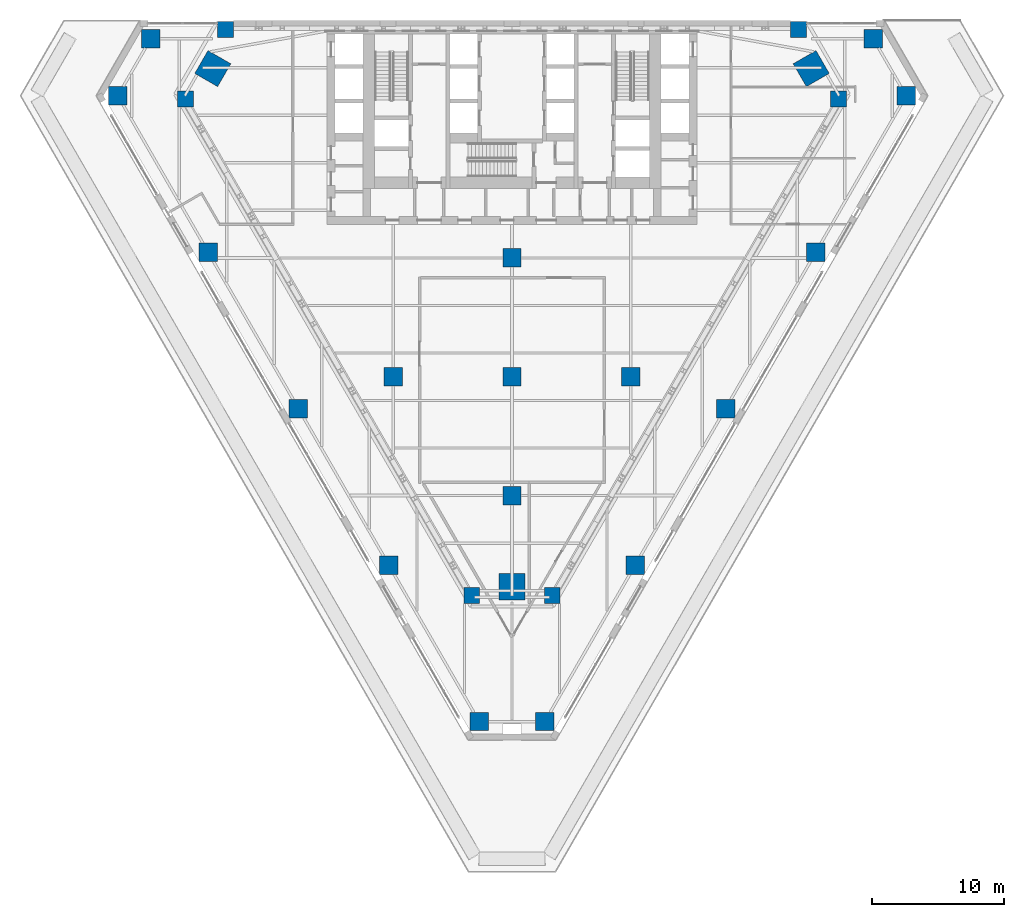
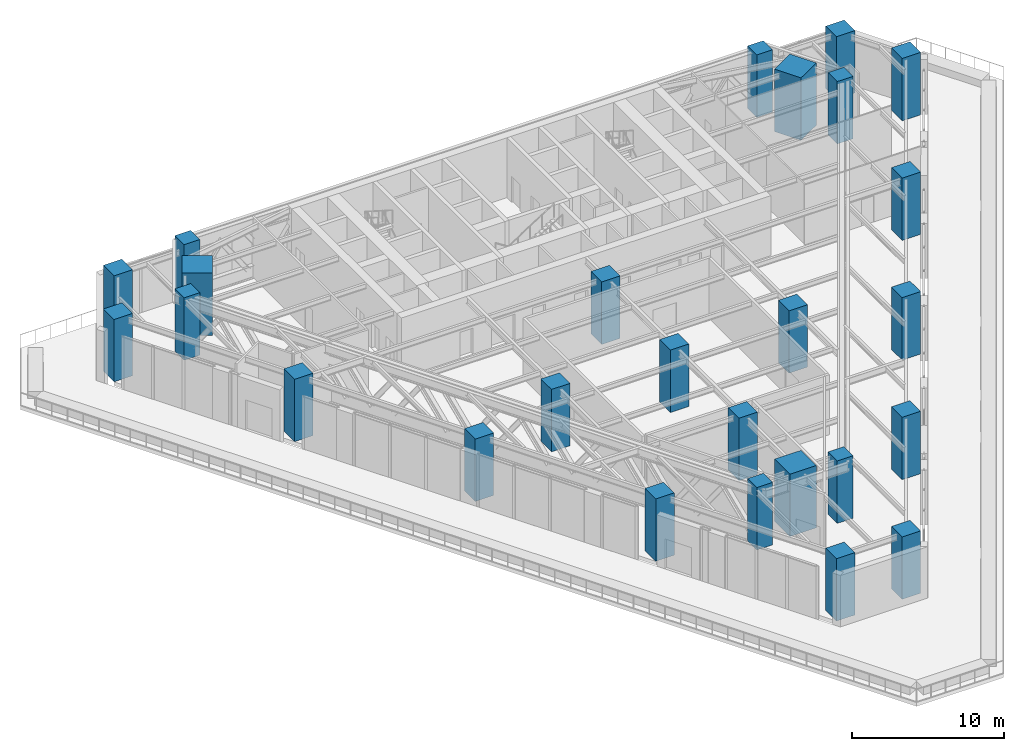
# One storey, part 1 of 25: 26 columns.
"""IFC4 building model written with IfcOpenShell, lengths in metres."""

from ifc_helpers import new_model, si_unit, direction, frame, origin, origin_2d, place, context, subcontext, project, spatial, rectangle, extrude, material, material_profile, profile_set, type_object, element, save


model = new_model("IFC4")

# Units and contexts
model_context = context("Model", 3, precision=1e-05, world=origin(), true_north=direction((0.0, 1.0)))
body_context = subcontext(model_context, "Body", "Model", "MODEL_VIEW")
ifc_project = project(units=[si_unit("LENGTHUNIT", "METRE"), si_unit("AREAUNIT", "SQUARE_METRE"), si_unit("VOLUMEUNIT", "CUBIC_METRE"), si_unit("PLANEANGLEUNIT", "RADIAN"), si_unit("MASSUNIT", "GRAM", prefix="KILO")], contexts=[model_context])

# Site, building, storey
site_placement = place(None, origin())
site = spatial("IfcSite", under=ifc_project, at=site_placement, CompositionType="ELEMENT")
building_placement = place(site_placement, origin())
building = spatial("IfcBuilding", under=site, at=building_placement, Name="Aloe Facet Convention Tower", CompositionType="ELEMENT")
storey_placement = place(building_placement, frame((0.0, 0.0, 30.0)))
storey = spatial("IfcBuildingStorey", under=building, at=storey_placement, Name="L05", CompositionType="ELEMENT", Elevation=30.0)

# Columns
ifc_material_1 = material(Name="Concrete C60/75", Category="concrete")
ifc_material_profile_1 = material_profile(ifc_material_1, rectangle(XDim=1.39990234375, YDim=1.39990234375, at=origin_2d()), Name="SF-PC-1400")
ifc_profile_set_1 = profile_set([ifc_material_profile_1], Name="Concrete C60/75")
column_type_1 = type_object("IfcColumnType", Name="SF-PC-1400", PredefinedType="COLUMN", material=ifc_profile_set_1)
for number, where, z_axis, x_axis, name in (
    (1, (89.0, 108.0, 0.0), (0.0, 0.0, 1.0), (1.0, 0.0, 0.0), "Podium column PC-10D"),
    (2, (71.0, 108.0, 0.0), (0.0, 0.0, 1.0), (1.0, 0.0, 0.0), "Podium column PC-8D"),
    (3, (80.0, 117.0, 0.0), (0.0, 0.0, 1.0), (1.0, 0.0, 0.0), "Podium column PC-9C"),
    (4, (80.0, 108.0, 0.0), (0.0, 0.0, 1.0), (1.0, 0.0, 0.0), "Podium column PC-9D"),
    (5, (80.0, 99.0, 0.0), (0.0, 0.0, 1.0), (1.0, 0.0, 0.0), "Podium column PC-9E"),
    (6, (103.01611328125, 117.43505859375, 0.0), (0.0, 0.0, 1.0), (1.0, 0.0, 0.0), "Podium column PE-103-117"),
    (7, (107.364990234375, 133.60009765625, 0.0), (0.0, 0.0, 1.0), (1.0, 0.0, 0.0), "Podium column PE-107-134"),
    (8, (109.85693359375, 129.283935546875, 0.0), (0.0, 0.0, 1.0), (1.0, 0.0, 0.0), "Podium column PE-110-129"),
    (9, (50.14306640625, 129.283935546875, 0.0), (0.0, 0.0, 1.0), (1.0, 0.0, 0.0), "Podium column PE-50-129"),
    (10, (52.635009765625, 133.60009765625, 0.0), (0.0, 0.0, 1.0), (1.0, 0.0, 0.0), "Podium column PE-53-134"),
    (11, (56.98388671875, 117.43505859375, 0.0), (0.0, 0.0, 1.0), (1.0, 0.0, 0.0), "Podium column PE-57-117"),
    (12, (63.825927734375, 105.5849609375, 0.0), (0.0, 0.0, 1.0), (1.0, 0.0, 0.0), "Podium column PE-64-106"),
    (13, (70.6669921875, 93.736083984375, 0.0), (0.0, 0.0, 1.0), (1.0, 0.0, 0.0), "Podium column PE-71-94"),
    (14, (77.508056640625, 81.885986328125, 0.0), (0.0, 0.0, 1.0), (1.0, 0.0, 0.0), "Podium column PE-78-82"),
    (15, (82.491943359375, 81.885986328125, 0.0), (0.0, 0.0, 1.0), (1.0, 0.0, 0.0), "Podium column PE-82-82"),
    (16, (89.3330078125, 93.736083984375, 0.0), (0.0, 0.0, 1.0), (1.0, 0.0, 0.0), "Podium column PE-89-94"),
    (17, (96.174072265625, 105.5849609375, 0.0), (0.0, 0.0, 1.0), (1.0, 0.0, 0.0), "Podium column PE-96-106"),
):
    element("IfcColumn", number, at=place(storey_placement, frame(where, z_axis=z_axis, x_axis=x_axis)), inside=storey, type_object=column_type_1, Name=name, PredefinedType="COLUMN", context=body_context, shape_type="SweptSolid", body=[
        extrude(rectangle(XDim=1.39990234375, YDim=1.39990234375, at=origin_2d()), origin(), (0.0, 0.0, 1.0), 5.0),
    ])
ifc_material_2 = material(Name="Concrete C60/75", Category="concrete")
ifc_material_profile_2 = material_profile(ifc_material_2, rectangle(XDim=1.199951171875, YDim=1.199951171875, at=origin_2d()), Name="SF-PR-1200")
ifc_profile_set_2 = profile_set([ifc_material_profile_2], Name="Concrete C60/75")
column_type_2 = type_object("IfcColumnType", Name="SF-PR-1200", PredefinedType="COLUMN", material=ifc_profile_set_2)
for number, where, z_axis, x_axis, name in (
    (18, (55.256103515625, 129.028076171875, 0.0), (0.0, 0.0, 1.0), (1.0, 0.0, 0.0), "Podium column PR-01-55-129"),
    (19, (58.300048828125, 134.300048828125, 0.0), (0.0, 0.0, 1.0), (1.0, 0.0, 0.0), "Podium column PR-02-58-134"),
    (20, (76.956298828125, 91.4423828125, 0.0), (0.0, 0.0, 1.0), (1.0, 0.0, 0.0), "Podium column PR-03-77-91"),
    (21, (83.043701171875, 91.4423828125, 0.0), (0.0, 0.0, 1.0), (1.0, 0.0, 0.0), "Podium column PR-04-83-91"),
    (22, (101.699951171875, 134.300048828125, 0.0), (0.0, 0.0, 1.0), (1.0, 0.0, 0.0), "Podium column PR-05-102-134"),
    (23, (104.743896484375, 129.028076171875, 0.0), (0.0, 0.0, 1.0), (1.0, 0.0, 0.0), "Podium column PR-06-105-129"),
):
    element("IfcColumn", number, at=place(storey_placement, frame(where, z_axis=z_axis, x_axis=x_axis)), inside=storey, type_object=column_type_2, Name=name, PredefinedType="COLUMN", context=body_context, shape_type="SweptSolid", body=[
        extrude(rectangle(XDim=1.199951171875, YDim=1.199951171875, at=origin_2d()), origin(), (0.0, 0.0, 1.0), 5.0),
    ])
ifc_material_3 = material(Name="Concrete C80/95", Category="concrete")
ifc_material_profile_3 = material_profile(ifc_material_3, rectangle(XDim=2.0, YDim=2.0, at=origin_2d()), Name="STW-MC-Z1")
ifc_profile_set_3 = profile_set([ifc_material_profile_3], Name="Concrete C80/95")
column_type_3 = type_object("IfcColumnType", Name="STW-MC-Z1", PredefinedType="COLUMN", material=ifc_profile_set_3)
for number, where, z_axis, x_axis, name in (
    (24, (102.664306640625, 131.342041015625, 0.0), (0.0, 0.0, 1.0), (-0.5, 0.866025403784, 0.0), "Mega-column MC-NE-L05"),
    (25, (57.335693359375, 131.342041015625, 0.0), (0.0, 0.0, 1.0), (-0.5, -0.866025403784, 0.0), "Mega-column MC-NW-L05"),
    (26, (80.0, 92.086181640625, 0.0), (0.0, 0.0, 1.0), (1.0, 0.0, 0.0), "Mega-column MC-S-L05"),
):
    element("IfcColumn", number, at=place(storey_placement, frame(where, z_axis=z_axis, x_axis=x_axis)), inside=storey, type_object=column_type_3, Name=name, PredefinedType="COLUMN", context=body_context, shape_type="SweptSolid", body=[
        extrude(rectangle(XDim=2.0, YDim=2.0, at=origin_2d()), origin(), (0.0, 0.0, 1.0), 5.0),
    ])

save(model, "model.ifc")
